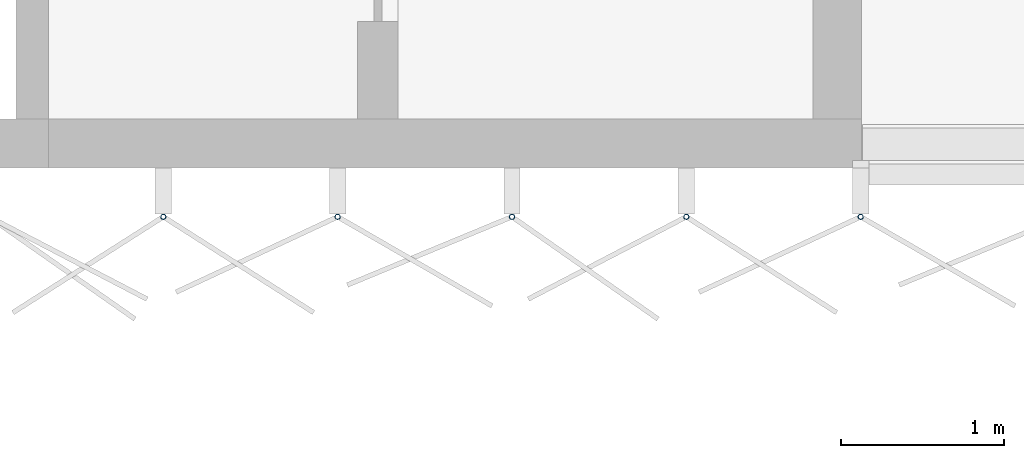
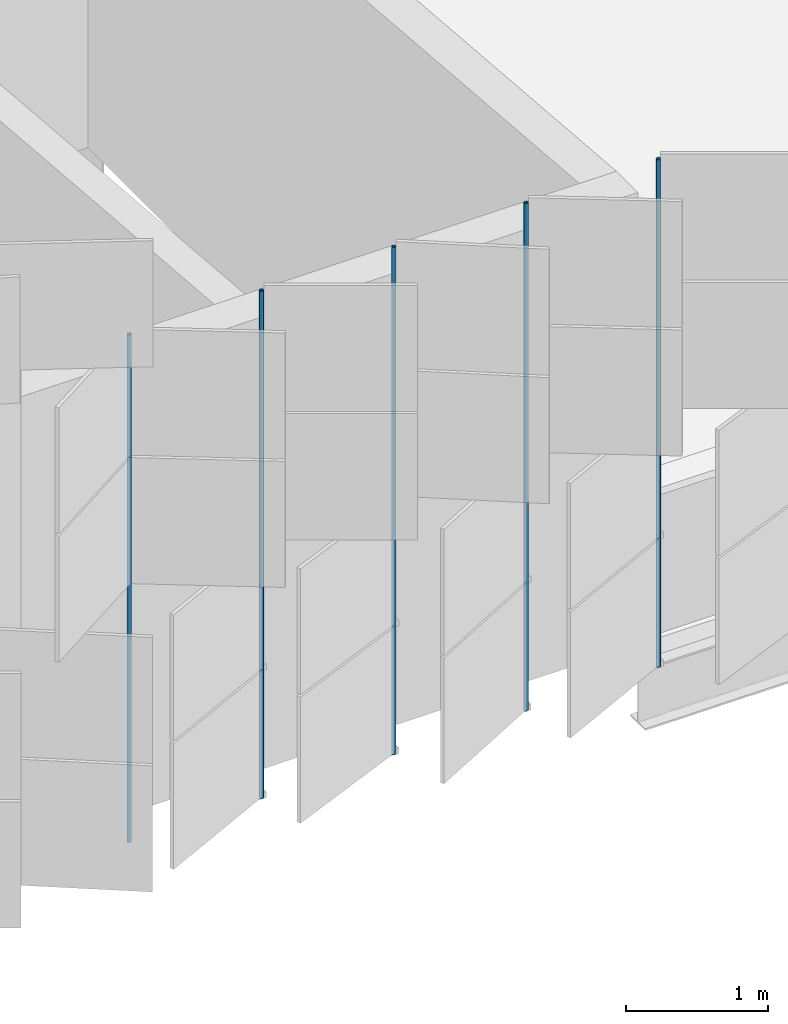
# One storey, part 143 of 483: 5 discrete accessories.
"""IFC4 building model written with IfcOpenShell, lengths in metres."""

from ifc_helpers import new_model, si_unit, direction, frame, origin, origin_2d, place, context, subcontext, project, spatial, hollow_circle, extrude, material, material_profile, profile_set, type_object, element, save


model = new_model("IFC4")

# Units and contexts
model_context = context("Model", 3, precision=1e-05, world=origin(), true_north=direction((0.0, 1.0)))
body_context = subcontext(model_context, "Body", "Model", "MODEL_VIEW")
ifc_project = project(units=[si_unit("LENGTHUNIT", "METRE"), si_unit("AREAUNIT", "SQUARE_METRE"), si_unit("VOLUMEUNIT", "CUBIC_METRE"), si_unit("PLANEANGLEUNIT", "RADIAN"), si_unit("MASSUNIT", "GRAM", prefix="KILO")], contexts=[model_context])

# Site, building, storey
site_placement = place(None, origin())
site = spatial("IfcSite", under=ifc_project, at=site_placement, CompositionType="ELEMENT")
building_placement = place(site_placement, origin())
building = spatial("IfcBuilding", under=site, at=building_placement, Name="Parallax Yard Mobility Hub", CompositionType="ELEMENT")
storey_placement = place(building_placement, frame((0.0, 0.0, 13.199951171875)))
storey = spatial("IfcBuildingStorey", under=building, at=storey_placement, Name="L04", CompositionType="ELEMENT", Elevation=13.199951171875)

# Discrete accessories
ifc_material = material(Name="Steel ASTM A500 Gr C, hot-dip galvanised", Category="steel")
ifc_material_profile = material_profile(ifc_material, hollow_circle(Radius=0.016845703125, WallThickness=0.003173828125, at=origin_2d()), Name="CHS 33.7x3.2")
ifc_profile_set = profile_set([ifc_material_profile], Name="Steel ASTM A500 Gr C, hot-dip galvanised")
discrete_accessory_type = type_object("IfcDiscreteAccessoryType", Name="Hinge post CHS 33.7x3.2", PredefinedType="BRACKET", material=ifc_profile_set)
for number, where, z_axis, x_axis, name in (
    (1, (78.205078125, 112.199951171875, 0.0), (0.0, 0.0, 1.0), (1.0, 0.0, 0.0), "Hinge post bay 6.11 level L04"),
    (2, (79.277099609375, 112.199951171875, 0.0), (0.0, 0.0, 1.0), (1.0, 0.0, 0.0), "Hinge post bay 6.12 level L04"),
    (3, (80.349365234375, 112.199951171875, 0.0), (0.0, 0.0, 1.0), (1.0, 0.0, 0.0), "Hinge post bay 6.13 level L04"),
    (4, (81.421630859375, 112.199951171875, 0.0), (0.0, 0.0, 1.0), (1.0, 0.0, 0.0), "Hinge post bay 6.14 level L04"),
    (5, (82.493896484375, 112.199951171875, 0.0), (0.0, 0.0, 1.0), (1.0, 0.0, 0.0), "Hinge post bay 7.1 level L04"),
):
    element("IfcDiscreteAccessory", number, at=place(storey_placement, frame(where, z_axis=z_axis, x_axis=x_axis)), inside=storey, type_object=discrete_accessory_type, Name=name, PredefinedType="BRACKET", context=body_context, shape_type="SweptSolid", body=[
        extrude(hollow_circle(Radius=0.016845703125, WallThickness=0.003173828125, at=origin_2d()), origin(), (0.0, 0.0, 1.0), 4.35009765625),
    ])

save(model, "model.ifc")
